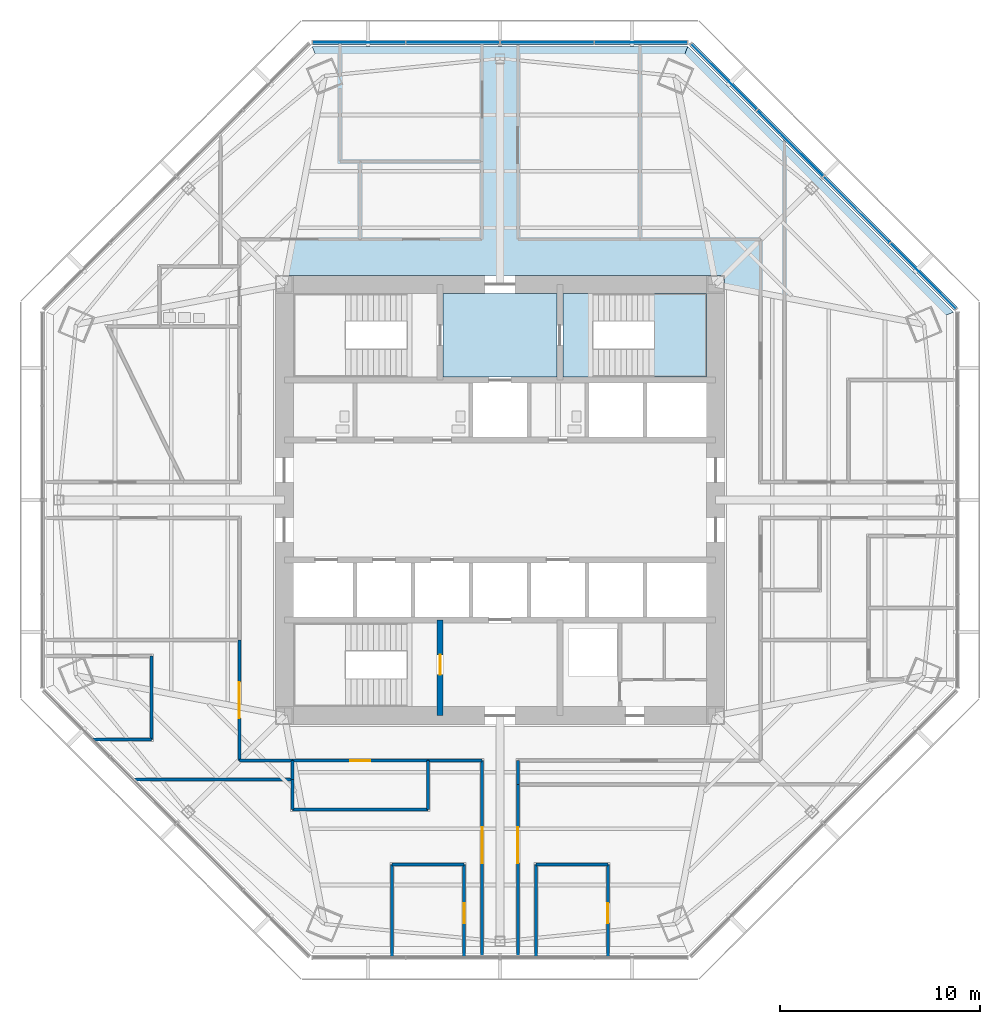
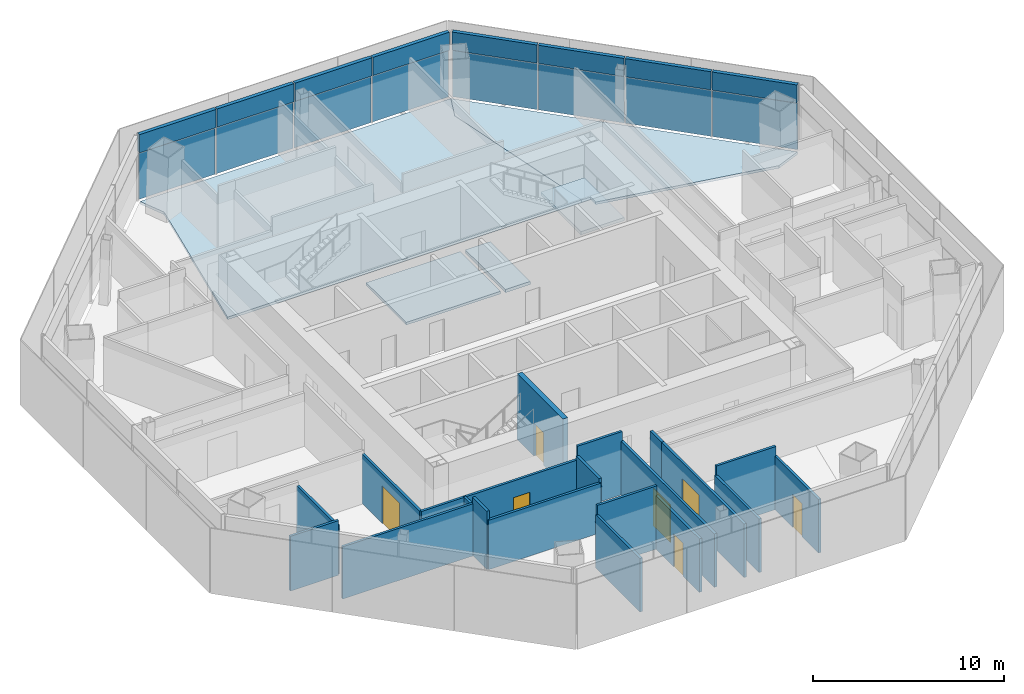
# One storey, part 8 of 14: 21 walls, 16 plates, 7 doors, 5 slabs, 7 openings, 3 elements without a shape of their own.
"""IFC4 building model written with IfcOpenShell, lengths in metres."""

from ifc_helpers import new_model, si_unit, direction, frame, frame_2d, origin, origin_2d, place, context, subcontext, project, spatial, polyline, rectangle, outline, extrude, source, transform, mapped, material, layer, layer_set, type_object, type_shapes, element, fill, aggregate, save


model = new_model("IFC4")

# Units and contexts
model_context = context("Model", 3, precision=1e-05, world=origin(), true_north=direction((0.0, 1.0)))
body_context = subcontext(model_context, "Body", "Model", "MODEL_VIEW")
ifc_project = project(units=[si_unit("LENGTHUNIT", "METRE"), si_unit("AREAUNIT", "SQUARE_METRE"), si_unit("VOLUMEUNIT", "CUBIC_METRE"), si_unit("PLANEANGLEUNIT", "RADIAN"), si_unit("MASSUNIT", "GRAM", prefix="KILO")], contexts=[model_context])

# Site, building, storey
site_placement = place(None, origin())
site = spatial("IfcSite", under=ifc_project, at=site_placement, CompositionType="ELEMENT")
building_placement = place(site_placement, origin())
building = spatial("IfcBuilding", under=site, at=building_placement, Name="Mashrafa Tower", CompositionType="ELEMENT")
storey_placement = place(building_placement, frame((0.0, 0.0, 180.60009765625)))
storey = spatial("IfcBuildingStorey", under=building, at=storey_placement, Name="L41", CompositionType="ELEMENT", Elevation=180.60009765625)

# Slabs
ifc_material_1 = material(Name="Concrete C35/45", Category="concrete")
ifc_layer_1 = layer(ifc_material_1, 0.1650390625)
ifc_layer_set_1 = layer_set([ifc_layer_1], Name="Floor slab 165")
slab_type_1 = type_object("IfcSlabType", Name="Floor slab 165", PredefinedType="FLOOR", material=ifc_layer_set_1)
slab_1_placement = place(storey_placement, frame((0.0, 0.0, -0.1650390625)))
element("IfcSlab", 1, at=slab_1_placement, inside=storey, type_object=slab_type_1, Name="Floor slab L41 north-east bay", PredefinedType="FLOOR", context=body_context, shape_type="SweptSolid", body=[
    extrude(outline(polyline([(9.405029296875, 22.705810546875), (22.705810546875, 9.405029296875), (22.705810546875, 9.405029296875), (21.232421875, 8.794677734375), (11.25, 10.713623046875), (11.25, 11.25), (10.713623046875, 11.25), (8.794677734375, 21.232421875), (9.405029296875, 22.705810546875), (9.405029296875, 22.705810546875)])), origin(), (0.0, 0.0, 1.0), 0.1650390625),
])
slab_2_placement = place(storey_placement, frame((0.0, 0.0, -0.1650390625)))
element("IfcSlab", 2, at=slab_2_placement, inside=storey, type_object=slab_type_1, Name="Floor slab L41 north bay", PredefinedType="FLOOR", context=body_context, shape_type="SweptSolid", body=[
    extrude(outline(polyline([(9.405029296875, 22.705810546875), (8.794677734375, 21.232421875), (10.713623046875, 11.25), (-10.713623046875, 11.25), (-8.794677734375, 21.232421875), (-9.405029296875, 22.705810546875), (9.405029296875, 22.705810546875)])), origin(), (0.0, 0.0, 1.0), 0.1650390625),
])
slab_3_placement = place(storey_placement, frame((0.0, 0.0, -0.1650390625)))
element("IfcSlab", 3, at=slab_3_placement, inside=storey, type_object=slab_type_1, Name="Core floor fire-fighting lobby north L41", PredefinedType="FLOOR", context=body_context, shape_type="SweptSolid", body=[
    extrude(outline(polyline([(-2.85009765625, 10.35009765625), (2.85009765625, 10.35009765625), (2.85009765625, 6.14990234375), (-2.85009765625, 6.14990234375), (-2.85009765625, 10.35009765625)])), origin(), (0.0, 0.0, 1.0), 0.1650390625),
])

# Stair, slabs
ifc_material_2 = material(Name="Exit stair 1400")
stair_type = type_object("IfcStairType", Name="Exit stair 1400", PredefinedType="HALF_TURN_STAIR", material=ifc_material_2)
stair_placement = place(storey_placement, origin())
stair = element("IfcStair", 4, at=stair_placement, inside=storey, type_object=stair_type, Name="Stair S2 L41", PredefinedType="HALF_TURN_STAIR")
ifc_material_3 = material(Name="Concrete C32/40", Category="concrete")
ifc_layer_2 = layer(ifc_material_3, 0.199951171875)
ifc_layer_set_2 = layer_set([ifc_layer_2], Name="Stair landing 200")
slab_type_2 = type_object("IfcSlabType", Name="Stair landing 200", PredefinedType="LANDING", material=ifc_layer_set_2)
slab_4_placement = place(storey_placement, frame((0.0, 0.0, -0.2001953125)))
slab_4 = element("IfcSlab", 5, at=slab_4_placement, type_object=slab_type_2, Name="S2 landing 1", PredefinedType="LANDING", context=body_context, shape_type="SweptSolid", body=[
    extrude(outline(polyline([(3.14990234375, 6.14990234375), (4.659912109375, 6.14990234375), (4.659912109375, 10.35009765625), (3.14990234375, 10.35009765625), (3.14990234375, 6.14990234375)])), origin(), (0.0, 0.0, 1.0), 0.2001953125),
])
slab_5_placement = place(storey_placement, frame((0.0, 0.0, 1.89990234375)))
slab_5 = element("IfcSlab", 6, at=slab_5_placement, type_object=slab_type_2, Name="S2 landing 2", PredefinedType="LANDING", context=body_context, shape_type="SweptSolid", body=[
    extrude(outline(polyline([(7.719970703125, 6.14990234375), (10.35009765625, 6.14990234375), (10.35009765625, 10.35009765625), (7.719970703125, 10.35009765625), (7.719970703125, 6.14990234375)])), origin(), (0.0, 0.0, 1.0), 0.199951171875),
])
aggregate(stair, [slab_4, slab_5])

# Curtain wall, plates
ifc_material_4 = material(Name="Unitised aluminium curtain wall", Category="aluminium")
curtain_wall_type = type_object("IfcCurtainWallType", Name="Office curtain wall, zone 2 CW-B 225 deep", PredefinedType="NOTDEFINED", material=ifc_material_4)
curtain_wall_1_placement = place(storey_placement, origin())
curtain_wall_1 = element("IfcCurtainWall", 7, at=curtain_wall_1_placement, inside=storey, type_object=curtain_wall_type, Name="Office curtain wall, zone 2 L41 north-east", PredefinedType="NOTDEFINED")
ifc_material_5 = material(Name="Insulated double glazing, low-e, neutral", Category="glass")
ifc_layer_3 = layer(ifc_material_5, 0.028076171875)
ifc_layer_set_3 = layer_set([ifc_layer_3], Name="Vision panel CW-B 28")
plate_type_1 = type_object("IfcPlateType", Name="Vision panel CW-B 28", PredefinedType="CURTAIN_PANEL", material=ifc_layer_set_3)
shared_shape_1 = source(origin(), body_context, "Body", "SweptSolid", [
    extrude(rectangle(XDim=4.6181640625, YDim=0.028076171875, at=origin_2d()), origin(), (0.0, 0.0, 1.0), 2.9599609375),
])
plate_1_placement = place(storey_placement, frame((21.18701171875, 11.20654296875, 0.0), z_axis=(0.0, 0.0, 1.0), x_axis=(-0.707106781187, 0.707106781187, 0.0)))
plate_1 = element("IfcPlate", 8, at=plate_1_placement, type_object=plate_type_1, Name="CW-B vision panel 1", PredefinedType="CURTAIN_PANEL", context=body_context, shape_type="MappedRepresentation", body=[
    mapped(shared_shape_1, transform((0.0, 0.0, 0.0))),
])
plate_2_placement = place(storey_placement, frame((11.20654296875, 21.18701171875, 0.0), z_axis=(0.0, 0.0, 1.0), x_axis=(-0.707106781187, 0.707106781187, 0.0)))
plate_2 = element("IfcPlate", 9, at=plate_2_placement, type_object=plate_type_1, Name="CW-B vision panel 4", PredefinedType="CURTAIN_PANEL", context=body_context, shape_type="MappedRepresentation", body=[
    mapped(shared_shape_1, transform((0.0, 0.0, 0.0))),
])

curtain_wall_2_placement = place(storey_placement, origin())
curtain_wall_2 = element("IfcCurtainWall", 10, at=curtain_wall_2_placement, inside=storey, type_object=curtain_wall_type, Name="Office curtain wall, zone 2 L41 north", PredefinedType="NOTDEFINED")
plate_3_placement = place(storey_placement, frame((7.05712890625, 22.90576171875, 0.0), z_axis=(0.0, 0.0, 1.0), x_axis=(-1.0, 0.0, 0.0)))
plate_3 = element("IfcPlate", 11, at=plate_3_placement, type_object=plate_type_1, Name="CW-B vision panel 1", PredefinedType="CURTAIN_PANEL", context=body_context, shape_type="MappedRepresentation", body=[
    mapped(shared_shape_1, transform((0.0, 0.0, 0.0))),
])
plate_4_placement = place(storey_placement, frame((-7.05712890625, 22.90576171875, 0.0), z_axis=(0.0, 0.0, 1.0), x_axis=(-1.0, 0.0, 0.0)))
plate_4 = element("IfcPlate", 12, at=plate_4_placement, type_object=plate_type_1, Name="CW-B vision panel 4", PredefinedType="CURTAIN_PANEL", context=body_context, shape_type="MappedRepresentation", body=[
    mapped(shared_shape_1, transform((0.0, 0.0, 0.0))),
])

# Plate
ifc_material_6 = material(Name="Insulated aluminium spandrel panel", Category="aluminium")
ifc_layer_4 = layer(ifc_material_6, 0.219970703125)
ifc_layer_set_4 = layer_set([ifc_layer_4], Name="Spandrel panel CW-B 220")
plate_type_2 = type_object("IfcPlateType", Name="Spandrel panel CW-B 220", PredefinedType="CURTAIN_PANEL", material=ifc_layer_set_4)
shared_shape_2 = source(origin(), body_context, "Body", "SweptSolid", [
    extrude(rectangle(XDim=4.6181640625, YDim=0.219970703125, at=origin_2d()), origin(), (0.0, 0.0, 1.0), 1.159912109375),
])
plate_5_placement = place(storey_placement, frame((21.18701171875, 11.20654296875, 3.0400390625), z_axis=(0.0, 0.0, 1.0), x_axis=(-0.707106781187, 0.707106781187, 0.0)))
plate_5 = element("IfcPlate", 13, at=plate_5_placement, type_object=plate_type_2, Name="CW-B spandrel panel 1", PredefinedType="CURTAIN_PANEL", context=body_context, shape_type="MappedRepresentation", body=[
    mapped(shared_shape_2, transform((0.0, 0.0, 0.0))),
])

plate_6_placement = place(storey_placement, frame((11.20654296875, 21.18701171875, 3.0400390625), z_axis=(0.0, 0.0, 1.0), x_axis=(-0.707106781187, 0.707106781187, 0.0)))
plate_6 = element("IfcPlate", 14, at=plate_6_placement, type_object=plate_type_2, Name="CW-B spandrel panel 4", PredefinedType="CURTAIN_PANEL", context=body_context, shape_type="MappedRepresentation", body=[
    mapped(shared_shape_2, transform((0.0, 0.0, 0.0))),
])

plate_7_placement = place(storey_placement, frame((7.05712890625, 22.90576171875, 3.0400390625), z_axis=(0.0, 0.0, 1.0), x_axis=(-1.0, 0.0, 0.0)))
plate_7 = element("IfcPlate", 15, at=plate_7_placement, type_object=plate_type_2, Name="CW-B spandrel panel 1", PredefinedType="CURTAIN_PANEL", context=body_context, shape_type="MappedRepresentation", body=[
    mapped(shared_shape_2, transform((0.0, 0.0, 0.0))),
])

plate_8_placement = place(storey_placement, frame((-7.05712890625, 22.90576171875, 3.0400390625), z_axis=(0.0, 0.0, 1.0), x_axis=(-1.0, 0.0, 0.0)))
plate_8 = element("IfcPlate", 16, at=plate_8_placement, type_object=plate_type_2, Name="CW-B spandrel panel 4", PredefinedType="CURTAIN_PANEL", context=body_context, shape_type="MappedRepresentation", body=[
    mapped(shared_shape_2, transform((0.0, 0.0, 0.0))),
])

shared_shape_3 = source(origin(), body_context, "Body", "SweptSolid", [
    extrude(rectangle(XDim=4.650634765625, YDim=0.028076171875, at=origin_2d()), origin(), (0.0, 0.0, 1.0), 2.9599609375),
])
type_shapes(plate_type_1, [shared_shape_1, shared_shape_3])
plate_9_placement = place(storey_placement, frame((17.864013671875, 14.529541015625, 0.0), z_axis=(0.0, 0.0, 1.0), x_axis=(-0.707106781187, 0.707106781187, 0.0)))
plate_9 = element("IfcPlate", 17, at=plate_9_placement, type_object=plate_type_1, Name="CW-B vision panel 2", PredefinedType="CURTAIN_PANEL", context=body_context, shape_type="MappedRepresentation", body=[
    mapped(shared_shape_3, transform((0.0, 0.0, 0.0))),
])

plate_10_placement = place(storey_placement, frame((14.529541015625, 17.864013671875, 0.0), z_axis=(0.0, 0.0, 1.0), x_axis=(-0.707106781187, 0.707106781187, 0.0)))
plate_10 = element("IfcPlate", 18, at=plate_10_placement, type_object=plate_type_1, Name="CW-B vision panel 3", PredefinedType="CURTAIN_PANEL", context=body_context, shape_type="MappedRepresentation", body=[
    mapped(shared_shape_3, transform((0.0, 0.0, 0.0))),
])

plate_11_placement = place(storey_placement, frame((2.35791015625, 22.90576171875, 0.0), z_axis=(0.0, 0.0, 1.0), x_axis=(-1.0, 0.0, 0.0)))
plate_11 = element("IfcPlate", 19, at=plate_11_placement, type_object=plate_type_1, Name="CW-B vision panel 2", PredefinedType="CURTAIN_PANEL", context=body_context, shape_type="MappedRepresentation", body=[
    mapped(shared_shape_3, transform((0.0, 0.0, 0.0))),
])

plate_12_placement = place(storey_placement, frame((-2.35791015625, 22.90576171875, 0.0), z_axis=(0.0, 0.0, 1.0), x_axis=(-1.0, 0.0, 0.0)))
plate_12 = element("IfcPlate", 20, at=plate_12_placement, type_object=plate_type_1, Name="CW-B vision panel 3", PredefinedType="CURTAIN_PANEL", context=body_context, shape_type="MappedRepresentation", body=[
    mapped(shared_shape_3, transform((0.0, 0.0, 0.0))),
])

shared_shape_4 = source(origin(), body_context, "Body", "SweptSolid", [
    extrude(rectangle(XDim=4.650634765625, YDim=0.219970703125, at=origin_2d()), origin(), (0.0, 0.0, 1.0), 1.159912109375),
])
type_shapes(plate_type_2, [shared_shape_2, shared_shape_4])
plate_13_placement = place(storey_placement, frame((17.864013671875, 14.529541015625, 3.0400390625), z_axis=(0.0, 0.0, 1.0), x_axis=(-0.707106781187, 0.707106781187, 0.0)))
plate_13 = element("IfcPlate", 21, at=plate_13_placement, type_object=plate_type_2, Name="CW-B spandrel panel 2", PredefinedType="CURTAIN_PANEL", context=body_context, shape_type="MappedRepresentation", body=[
    mapped(shared_shape_4, transform((0.0, 0.0, 0.0))),
])

plate_14_placement = place(storey_placement, frame((14.529541015625, 17.864013671875, 3.0400390625), z_axis=(0.0, 0.0, 1.0), x_axis=(-0.707106781187, 0.707106781187, 0.0)))
plate_14 = element("IfcPlate", 22, at=plate_14_placement, type_object=plate_type_2, Name="CW-B spandrel panel 3", PredefinedType="CURTAIN_PANEL", context=body_context, shape_type="MappedRepresentation", body=[
    mapped(shared_shape_4, transform((0.0, 0.0, 0.0))),
])

aggregate(curtain_wall_1, [plate_1, plate_5, plate_9, plate_13, plate_10, plate_14, plate_2, plate_6])

plate_15_placement = place(storey_placement, frame((2.35791015625, 22.90576171875, 3.0400390625), z_axis=(0.0, 0.0, 1.0), x_axis=(-1.0, 0.0, 0.0)))
plate_15 = element("IfcPlate", 23, at=plate_15_placement, type_object=plate_type_2, Name="CW-B spandrel panel 2", PredefinedType="CURTAIN_PANEL", context=body_context, shape_type="MappedRepresentation", body=[
    mapped(shared_shape_4, transform((0.0, 0.0, 0.0))),
])

plate_16_placement = place(storey_placement, frame((-2.35791015625, 22.90576171875, 3.0400390625), z_axis=(0.0, 0.0, 1.0), x_axis=(-1.0, 0.0, 0.0)))
plate_16 = element("IfcPlate", 24, at=plate_16_placement, type_object=plate_type_2, Name="CW-B spandrel panel 3", PredefinedType="CURTAIN_PANEL", context=body_context, shape_type="MappedRepresentation", body=[
    mapped(shared_shape_4, transform((0.0, 0.0, 0.0))),
])

aggregate(curtain_wall_2, [plate_3, plate_7, plate_11, plate_15, plate_12, plate_16, plate_4, plate_8])

# Wall, opening, door
ifc_material_7 = material(Name="Concrete C60/75", Category="concrete")
ifc_layer_5 = layer(ifc_material_7, 0.300048828125)
ifc_layer_set_5 = layer_set([ifc_layer_5], Name="Core wall 300 C60/75")
wall_type_1 = type_object("IfcWallType", Name="Core wall 300 C60/75", PredefinedType="SOLIDWALL", material=ifc_layer_set_5)
wall_1_placement = place(storey_placement, frame((-3.0, -6.0, 0.0), z_axis=(0.0, 0.0, 1.0), x_axis=(0.0, -1.0, 0.0)))
wall_1 = element("IfcWall", 25, at=wall_1_placement, inside=storey, type_object=wall_type_1, Name="Core wall CX-SW L41", PredefinedType="SOLIDWALL", context=body_context, shape_type="SweptSolid", body=[
    extrude(rectangle(XDim=4.800048828125, YDim=0.300048828125, at=frame_2d((2.39990234375, 0.0))), origin(), (0.0, 0.0, 1.0), 4.199951171875),
])
opening_1_placement = place(wall_1_placement, frame((1.75, 0.0, 0.0)))
opening_1 = element("IfcOpeningElement", 26, at=opening_1_placement, cuts=wall_1, Name="Opening 41.032", PredefinedType="OPENING", context=body_context, shape_type="SweptSolid", body=[
    extrude(rectangle(XDim=1.0, YDim=2.10009765625, at=frame_2d((0.5, 1.050048828125))), frame((0.0, 0.159912109375, 0.0), z_axis=(0.0, -1.0, 0.0), x_axis=(1.0, 0.0, 0.0)), (0.0, 0.0, 1.0), 0.320068359375),
])
ifc_material_8 = material(Name="Steel door", Category="steel")
door_type_1 = type_object("IfcDoorType", Name="Stair door 1000 x 2100 90 min", OperationType="USERDEFINED", PredefinedType="DOOR", material=ifc_material_8)
door_1_placement = place(opening_1_placement, frame((1.0, 0.0, 0.0), z_axis=(0.0, 0.0, 1.0), x_axis=(-1.0, 0.0, 0.0)))
door_1 = element("IfcDoor", 27, at=door_1_placement, inside=storey, type_object=door_type_1, Name="Stair S3 door L41", OperationType="SINGLE_SWING_RIGHT", OverallHeight=2.10009765625, OverallWidth=1.0, PredefinedType="DOOR", context=body_context, shape_type="SweptSolid", body=[
    extrude(rectangle(XDim=1.0, YDim=2.10009765625, at=frame_2d((0.5, 1.050048828125))), frame((0.0, 0.02490234375, 0.0), z_axis=(0.0, -1.0, 0.0), x_axis=(1.0, 0.0, 0.0)), (0.0, 0.0, 1.0), 0.050048828125),
])
fill(opening_1, door_1)

ifc_material_9 = material(Name="Gypsum board on steel studs", Category="steel")
ifc_layer_6 = layer(ifc_material_9, 0.14990234375)
ifc_layer_set_6 = layer_set([ifc_layer_6], Name="Corridor partition 150 1 hr")
wall_type_2 = type_object("IfcWallType", Name="Corridor partition 150 1 hr", PredefinedType="PARTITIONING", material=ifc_layer_set_6)
wall_2_placement = place(storey_placement, frame((-10.40087890625, -13.050048828125, 0.0), z_axis=(0.0, 0.0, 1.0), x_axis=(1.0, 0.0, 0.0)))
wall_2 = element("IfcWall", 28, at=wall_2_placement, inside=storey, type_object=wall_type_2, Name="Corridor wall L41-006", PredefinedType="PARTITIONING", context=body_context, shape_type="SweptSolid", body=[
    extrude(rectangle(XDim=6.8017578125, YDim=0.14990234375, at=frame_2d((3.40087890625, 0.0))), origin(), (0.0, 0.0, 1.0), 3.16650390625),
])
opening_2_placement = place(wall_2_placement, frame((2.90087890625, 0.0, 0.0)))
opening_2 = element("IfcOpeningElement", 29, at=opening_2_placement, cuts=wall_2, Name="Opening 41.006", PredefinedType="OPENING", context=body_context, shape_type="SweptSolid", body=[
    extrude(rectangle(XDim=1.0, YDim=2.10009765625, at=frame_2d((0.5, 1.050048828125))), frame((0.0, 0.0849609375, 0.0), z_axis=(0.0, -1.0, 0.0), x_axis=(1.0, 0.0, 0.0)), (0.0, 0.0, 1.0), 0.169921875),
])
ifc_material_10 = material(Name="Timber door", Category="wood")
door_type_2 = type_object("IfcDoorType", Name="Door 1000 x 2100", OperationType="USERDEFINED", PredefinedType="DOOR", material=ifc_material_10)
door_2_placement = place(opening_2_placement, frame((1.0, 0.0, 0.0), z_axis=(0.0, 0.0, 1.0), x_axis=(-1.0, 0.0, 0.0)))
door_2 = element("IfcDoor", 30, at=door_2_placement, inside=storey, type_object=door_type_2, Name="Executive Pantry 41 door", OperationType="SINGLE_SWING_LEFT", OverallHeight=2.10009765625, OverallWidth=1.0, PredefinedType="DOOR", context=body_context, shape_type="SweptSolid", body=[
    extrude(rectangle(XDim=1.0, YDim=2.10009765625, at=frame_2d((0.5, 1.050048828125))), frame((0.0, 0.02490234375, 0.0), z_axis=(0.0, -1.0, 0.0), x_axis=(1.0, 0.0, 0.0)), (0.0, 0.0, 1.0), 0.050048828125),
])
fill(opening_2, door_2)

# Wall
wall_3_placement = place(storey_placement, frame((-3.60107421875, -13.050048828125, 0.0), z_axis=(0.0, 0.0, 1.0), x_axis=(1.0, 0.0, 0.0)))
element("IfcWall", 31, at=wall_3_placement, inside=storey, type_object=wall_type_2, Name="Corridor wall L41-020", PredefinedType="PARTITIONING", context=body_context, shape_type="SweptSolid", body=[
    extrude(rectangle(XDim=2.701171875, YDim=0.14990234375, at=frame_2d((1.3505859375, 0.0))), origin(), (0.0, 0.0, 1.0), 4.034912109375),
])

# Wall, opening, door
wall_4_placement = place(storey_placement, frame((-0.89990234375, -13.050048828125, 0.0), z_axis=(0.0, 0.0, 1.0), x_axis=(0.0, -1.0, 0.0)))
wall_4 = element("IfcWall", 32, at=wall_4_placement, inside=storey, type_object=wall_type_2, Name="Corridor wall L41-021", PredefinedType="PARTITIONING", context=body_context, shape_type="SweptSolid", body=[
    extrude(rectangle(XDim=9.83984375, YDim=0.14990234375, at=frame_2d((4.919921875, 0.0))), origin(), (0.0, 0.0, 1.0), 3.425537109375),
])
opening_3_placement = place(wall_4_placement, frame((3.3330078125, 0.0, 0.0)))
opening_3 = element("IfcOpeningElement", 33, at=opening_3_placement, cuts=wall_4, Name="Opening 41.018", PredefinedType="OPENING", context=body_context, shape_type="SweptSolid", body=[
    extrude(rectangle(XDim=1.800048828125, YDim=2.39990234375, at=frame_2d((0.89990234375, 1.199951171875))), frame((0.0, 0.0849609375, 0.0), z_axis=(0.0, -1.0, 0.0), x_axis=(1.0, 0.0, 0.0)), (0.0, 0.0, 1.0), 0.169921875),
])
ifc_material_11 = material(Name="Timber door", Category="wood")
door_type_3 = type_object("IfcDoorType", Name="Door pair 1800 x 2400", OperationType="DOUBLE_DOOR_SINGLE_SWING", PredefinedType="DOOR", material=ifc_material_11)
door_3_placement = place(opening_3_placement, frame((1.800048828125, 0.0, 0.0), z_axis=(0.0, 0.0, 1.0), x_axis=(-1.0, 0.0, 0.0)))
door_3 = element("IfcDoor", 34, at=door_3_placement, inside=storey, type_object=door_type_3, Name="Board Secretariat Office 41-SW3 door", OperationType="DOUBLE_DOOR_SINGLE_SWING", OverallHeight=2.39990234375, OverallWidth=1.800048828125, PredefinedType="DOOR", context=body_context, shape_type="SweptSolid", body=[
    extrude(rectangle(XDim=1.800048828125, YDim=2.39990234375, at=frame_2d((0.89990234375, 1.199951171875))), frame((0.0, 0.02490234375, 0.0), z_axis=(0.0, -1.0, 0.0), x_axis=(1.0, 0.0, 0.0)), (0.0, 0.0, 1.0), 0.050048828125),
])
fill(opening_3, door_3)

wall_5_placement = place(storey_placement, frame((-13.050048828125, -6.9990234375, 0.0), z_axis=(0.0, 0.0, 1.0), x_axis=(0.0, -1.0, 0.0)))
wall_5 = element("IfcWall", 35, at=wall_5_placement, inside=storey, type_object=wall_type_2, Name="Corridor wall L41-022", PredefinedType="PARTITIONING", context=body_context, shape_type="SweptSolid", body=[
    extrude(rectangle(XDim=6.051025390625, YDim=0.14990234375, at=frame_2d((3.025390625, 0.0))), origin(), (0.0, 0.0, 1.0), 3.16650390625),
])
opening_4_placement = place(wall_5_placement, frame((2.12548828125, 0.0, 0.0)))
opening_4 = element("IfcOpeningElement", 36, at=opening_4_placement, cuts=wall_5, Name="Opening 41.019", PredefinedType="OPENING", context=body_context, shape_type="SweptSolid", body=[
    extrude(rectangle(XDim=1.800048828125, YDim=2.39990234375, at=frame_2d((0.89990234375, 1.199951171875))), frame((0.0, 0.0849609375, 0.0), z_axis=(0.0, -1.0, 0.0), x_axis=(1.0, 0.0, 0.0)), (0.0, 0.0, 1.0), 0.169921875),
])
door_4_placement = place(opening_4_placement, frame((1.800048828125, 0.0, 0.0), z_axis=(0.0, 0.0, 1.0), x_axis=(-1.0, 0.0, 0.0)))
door_4 = element("IfcDoor", 37, at=door_4_placement, inside=storey, type_object=door_type_3, Name="Corporate Affairs Office 41-SW2 door", OperationType="DOUBLE_DOOR_SINGLE_SWING", OverallHeight=2.39990234375, OverallWidth=1.800048828125, PredefinedType="DOOR", context=body_context, shape_type="SweptSolid", body=[
    extrude(rectangle(XDim=1.800048828125, YDim=2.39990234375, at=frame_2d((0.89990234375, 1.199951171875))), frame((0.0, 0.02490234375, 0.0), z_axis=(0.0, -1.0, 0.0), x_axis=(1.0, 0.0, 0.0)), (0.0, 0.0, 1.0), 0.050048828125),
])
fill(opening_4, door_4)

# Wall
wall_6_placement = place(storey_placement, frame((-13.050048828125, -13.050048828125, 0.0), z_axis=(0.0, 0.0, 1.0), x_axis=(1.0, 0.0, 0.0)))
element("IfcWall", 38, at=wall_6_placement, inside=storey, type_object=wall_type_2, Name="Corridor wall L41-023", PredefinedType="PARTITIONING", context=body_context, shape_type="SweptSolid", body=[
    extrude(rectangle(XDim=2.651123046875, YDim=0.14990234375, at=frame_2d((1.32568359375, 0.0))), origin(), (0.0, 0.0, 1.0), 3.16650390625),
])

# Wall, opening, door
wall_7_placement = place(storey_placement, frame((0.89990234375, -22.889892578125, 0.0), z_axis=(0.0, 0.0, 1.0), x_axis=(0.0, 1.0, 0.0)))
wall_7 = element("IfcWall", 39, at=wall_7_placement, inside=storey, type_object=wall_type_2, Name="Corridor wall L41-026", PredefinedType="PARTITIONING", context=body_context, shape_type="SweptSolid", body=[
    extrude(rectangle(XDim=8.640869140625, YDim=0.14990234375, at=frame_2d((4.3203125, 0.0))), origin(), (0.0, 0.0, 1.0), 3.425537109375),
])
opening_5_placement = place(wall_7_placement, frame((4.702392578125, 0.0, 0.0)))
opening_5 = element("IfcOpeningElement", 40, at=opening_5_placement, cuts=wall_7, Name="Opening 41.021", PredefinedType="OPENING", context=body_context, shape_type="SweptSolid", body=[
    extrude(rectangle(XDim=1.800048828125, YDim=2.39990234375, at=frame_2d((0.89990234375, 1.199951171875))), frame((0.0, 0.0849609375, 0.0), z_axis=(0.0, -1.0, 0.0), x_axis=(1.0, 0.0, 0.0)), (0.0, 0.0, 1.0), 0.169921875),
])
door_5_placement = place(opening_5_placement, frame((1.800048828125, 0.0, 0.0), z_axis=(0.0, 0.0, 1.0), x_axis=(-1.0, 0.0, 0.0)))
door_5 = element("IfcDoor", 41, at=door_5_placement, inside=storey, type_object=door_type_3, Name="Board Secretariat Office 41-SE3 door", OperationType="DOUBLE_DOOR_SINGLE_SWING", OverallHeight=2.39990234375, OverallWidth=1.800048828125, PredefinedType="DOOR", context=body_context, shape_type="SweptSolid", body=[
    extrude(rectangle(XDim=1.800048828125, YDim=2.39990234375, at=frame_2d((0.89990234375, 1.199951171875))), frame((0.0, 0.02490234375, 0.0), z_axis=(0.0, -1.0, 0.0), x_axis=(1.0, 0.0, 0.0)), (0.0, 0.0, 1.0), 0.050048828125),
])
fill(opening_5, door_5)

# Walls
wall_8_placement = place(storey_placement, frame((0.89990234375, -14.2509765625, 0.0), z_axis=(0.0, 0.0, 1.0), x_axis=(0.0, 1.0, 0.0)))
element("IfcWall", 42, at=wall_8_placement, inside=storey, type_object=wall_type_2, Name="Corridor wall L41-027", PredefinedType="PARTITIONING", context=body_context, shape_type="SweptSolid", body=[
    extrude(rectangle(XDim=1.200927734375, YDim=0.14990234375, at=frame_2d((0.6005859375, 0.0))), origin(), (0.0, 0.0, 1.0), 3.425537109375),
])
ifc_material_12 = material(Name="Gypsum board on steel studs", Category="steel")
ifc_layer_7 = layer(ifc_material_12, 0.14990234375)
ifc_layer_set_7 = layer_set([ifc_layer_7], Name="Partition 150")
wall_type_3 = type_object("IfcWallType", Name="Partition 150", PredefinedType="PARTITIONING", material=ifc_layer_set_7)
wall_9_placement = place(storey_placement, frame((-20.369873046875, -12.0, 0.0), z_axis=(0.0, 0.0, 1.0), x_axis=(1.0, 0.0, 0.0)))
element("IfcWall", 43, at=wall_9_placement, inside=storey, type_object=wall_type_3, Name="Partition wall L41-044", PredefinedType="PARTITIONING", context=body_context, shape_type="SweptSolid", body=[
    extrude(rectangle(XDim=2.9140625, YDim=0.14990234375, at=frame_2d((1.45703125, 0.0))), origin(), (0.0, 0.0, 1.0), 3.4990234375),
])
wall_10_placement = place(storey_placement, frame((-17.455810546875, -12.0, 0.0), z_axis=(0.0, 0.0, 1.0), x_axis=(0.0, 1.0, 0.0)))
element("IfcWall", 44, at=wall_10_placement, inside=storey, type_object=wall_type_3, Name="Partition wall L41-045", PredefinedType="PARTITIONING", context=body_context, shape_type="SweptSolid", body=[
    extrude(rectangle(XDim=4.199951171875, YDim=0.14990234375, at=frame_2d((2.10009765625, 0.0))), origin(), (0.0, 0.0, 1.0), 3.16650390625),
])
wall_11_placement = place(storey_placement, frame((-10.39990234375, -13.9990234375, 0.0), z_axis=(0.0, 0.0, 1.0), x_axis=(0.0, -1.0, 0.0)))
element("IfcWall", 45, at=wall_11_placement, inside=storey, type_object=wall_type_3, Name="Partition wall L41-047", PredefinedType="PARTITIONING", context=body_context, shape_type="SweptSolid", body=[
    extrude(rectangle(XDim=1.5009765625, YDim=0.14990234375, at=frame_2d((0.75048828125, 0.0))), origin(), (0.0, 0.0, 1.0), 3.715087890625),
])
wall_12_placement = place(storey_placement, frame((-10.39990234375, -15.5, 0.0), z_axis=(0.0, 0.0, 1.0), x_axis=(1.0, 0.0, 0.0)))
element("IfcWall", 46, at=wall_12_placement, inside=storey, type_object=wall_type_3, Name="Partition wall L41-048", PredefinedType="PARTITIONING", context=body_context, shape_type="SweptSolid", body=[
    extrude(rectangle(XDim=6.7998046875, YDim=0.14990234375, at=frame_2d((3.39990234375, 0.0))), origin(), (0.0, 0.0, 1.0), 3.16650390625),
])
wall_13_placement = place(storey_placement, frame((-3.60009765625, -15.5, 0.0), z_axis=(0.0, 0.0, 1.0), x_axis=(0.0, 1.0, 0.0)))
element("IfcWall", 47, at=wall_13_placement, inside=storey, type_object=wall_type_3, Name="Partition wall L41-049", PredefinedType="PARTITIONING", context=body_context, shape_type="SweptSolid", body=[
    extrude(rectangle(XDim=2.449951171875, YDim=0.14990234375, at=frame_2d((1.22509765625, 0.0))), origin(), (0.0, 0.0, 1.0), 3.425537109375),
])
wall_14_placement = place(storey_placement, frame((-10.39990234375, -13.050048828125, 0.0), z_axis=(0.0, 0.0, 1.0), x_axis=(0.0, -1.0, 0.0)))
element("IfcWall", 48, at=wall_14_placement, inside=storey, type_object=wall_type_3, Name="Partition wall L41-050", PredefinedType="PARTITIONING", context=body_context, shape_type="SweptSolid", body=[
    extrude(rectangle(XDim=0.950927734375, YDim=0.14990234375, at=frame_2d((0.4755859375, 0.0))), origin(), (0.0, 0.0, 1.0), 3.16650390625),
])

# Wall, opening, door
wall_15_placement = place(storey_placement, frame((-1.800048828125, -22.889892578125, 0.0), z_axis=(0.0, 0.0, 1.0), x_axis=(0.0, 1.0, 0.0)))
wall_15 = element("IfcWall", 49, at=wall_15_placement, inside=storey, type_object=wall_type_3, Name="Partition wall L41-060", PredefinedType="PARTITIONING", context=body_context, shape_type="SweptSolid", body=[
    extrude(rectangle(XDim=4.634033203125, YDim=0.14990234375, at=frame_2d((2.31689453125, 0.0))), origin(), (0.0, 0.0, 1.0), 3.425537109375),
])
opening_6_placement = place(wall_15_placement, frame((1.698974609375, 0.0, 0.0)))
opening_6 = element("IfcOpeningElement", 50, at=opening_6_placement, cuts=wall_15, Name="Opening 41.010", PredefinedType="OPENING", context=body_context, shape_type="SweptSolid", body=[
    extrude(rectangle(XDim=1.0, YDim=2.10009765625, at=frame_2d((0.5, 1.050048828125))), frame((0.0, 0.0849609375, 0.0), z_axis=(0.0, -1.0, 0.0), x_axis=(1.0, 0.0, 0.0)), (0.0, 0.0, 1.0), 0.169921875),
])
door_6_placement = place(opening_6_placement, origin())
door_6 = element("IfcDoor", 51, at=door_6_placement, inside=storey, type_object=door_type_2, Name="Executive Office 41-SW3 door", OperationType="SINGLE_SWING_LEFT", OverallHeight=2.10009765625, OverallWidth=1.0, PredefinedType="DOOR", context=body_context, shape_type="SweptSolid", body=[
    extrude(rectangle(XDim=1.0, YDim=2.10009765625, at=frame_2d((0.5, 1.050048828125))), frame((0.0, 0.02490234375, 0.0), z_axis=(0.0, -1.0, 0.0), x_axis=(1.0, 0.0, 0.0)), (0.0, 0.0, 1.0), 0.050048828125),
])
fill(opening_6, door_6)

# Walls
wall_16_placement = place(storey_placement, frame((-1.800048828125, -18.255859375, 0.0), z_axis=(0.0, 0.0, 1.0), x_axis=(-1.0, 0.0, 0.0)))
element("IfcWall", 52, at=wall_16_placement, inside=storey, type_object=wall_type_3, Name="Partition wall L41-061", PredefinedType="PARTITIONING", context=body_context, shape_type="SweptSolid", body=[
    extrude(rectangle(XDim=3.599853515625, YDim=0.14990234375, at=frame_2d((1.7998046875, 0.0))), origin(), (0.0, 0.0, 1.0), 4.034912109375),
])
wall_17_placement = place(storey_placement, frame((-5.39990234375, -18.255859375, 0.0), z_axis=(0.0, 0.0, 1.0), x_axis=(0.0, -1.0, 0.0)))
element("IfcWall", 53, at=wall_17_placement, inside=storey, type_object=wall_type_3, Name="Partition wall L41-062", PredefinedType="PARTITIONING", context=body_context, shape_type="SweptSolid", body=[
    extrude(rectangle(XDim=4.6318359375, YDim=0.14990234375, at=frame_2d((2.31591796875, 0.0))), origin(), (0.0, 0.0, 1.0), 3.425537109375),
])

# Wall, opening, door
wall_18_placement = place(storey_placement, frame((5.39990234375, -22.889892578125, 0.0), z_axis=(0.0, 0.0, 1.0), x_axis=(0.0, 1.0, 0.0)))
wall_18 = element("IfcWall", 54, at=wall_18_placement, inside=storey, type_object=wall_type_3, Name="Partition wall L41-063", PredefinedType="PARTITIONING", context=body_context, shape_type="SweptSolid", body=[
    extrude(rectangle(XDim=4.634033203125, YDim=0.14990234375, at=frame_2d((2.31689453125, 0.0))), origin(), (0.0, 0.0, 1.0), 3.425537109375),
])
opening_7_placement = place(wall_18_placement, frame((1.698974609375, 0.0, 0.0)))
opening_7 = element("IfcOpeningElement", 55, at=opening_7_placement, cuts=wall_18, Name="Opening 41.011", PredefinedType="OPENING", context=body_context, shape_type="SweptSolid", body=[
    extrude(rectangle(XDim=1.0, YDim=2.10009765625, at=frame_2d((0.5, 1.050048828125))), frame((0.0, 0.0849609375, 0.0), z_axis=(0.0, -1.0, 0.0), x_axis=(1.0, 0.0, 0.0)), (0.0, 0.0, 1.0), 0.169921875),
])
door_7_placement = place(opening_7_placement, origin())
door_7 = element("IfcDoor", 56, at=door_7_placement, inside=storey, type_object=door_type_2, Name="Executive Office 41-SE3 door", OperationType="SINGLE_SWING_LEFT", OverallHeight=2.10009765625, OverallWidth=1.0, PredefinedType="DOOR", context=body_context, shape_type="SweptSolid", body=[
    extrude(rectangle(XDim=1.0, YDim=2.10009765625, at=frame_2d((0.5, 1.050048828125))), frame((0.0, 0.02490234375, 0.0), z_axis=(0.0, -1.0, 0.0), x_axis=(1.0, 0.0, 0.0)), (0.0, 0.0, 1.0), 0.050048828125),
])
fill(opening_7, door_7)

# Walls
wall_19_placement = place(storey_placement, frame((5.39990234375, -18.255859375, 0.0), z_axis=(0.0, 0.0, 1.0), x_axis=(-1.0, 0.0, 0.0)))
element("IfcWall", 57, at=wall_19_placement, inside=storey, type_object=wall_type_3, Name="Partition wall L41-064", PredefinedType="PARTITIONING", context=body_context, shape_type="SweptSolid", body=[
    extrude(rectangle(XDim=3.599853515625, YDim=0.14990234375, at=frame_2d((1.7998046875, 0.0))), origin(), (0.0, 0.0, 1.0), 4.034912109375),
])
wall_20_placement = place(storey_placement, frame((1.800048828125, -18.255859375, 0.0), z_axis=(0.0, 0.0, 1.0), x_axis=(0.0, -1.0, 0.0)))
element("IfcWall", 58, at=wall_20_placement, inside=storey, type_object=wall_type_3, Name="Partition wall L41-065", PredefinedType="PARTITIONING", context=body_context, shape_type="SweptSolid", body=[
    extrude(rectangle(XDim=4.6318359375, YDim=0.14990234375, at=frame_2d((2.31591796875, 0.0))), origin(), (0.0, 0.0, 1.0), 3.425537109375),
])
wall_21_placement = place(storey_placement, frame((-10.39990234375, -14.0, 0.0), z_axis=(0.0, 0.0, 1.0), x_axis=(-1.0, 0.0, 0.0)))
element("IfcWall", 59, at=wall_21_placement, inside=storey, type_object=wall_type_3, Name="Partition wall L41-070", PredefinedType="PARTITIONING", context=body_context, shape_type="SweptSolid", body=[
    extrude(rectangle(XDim=7.969970703125, YDim=0.14990234375, at=frame_2d((3.98486328125, 0.0))), origin(), (0.0, 0.0, 1.0), 3.341552734375),
])

save(model, "model.ifc")
